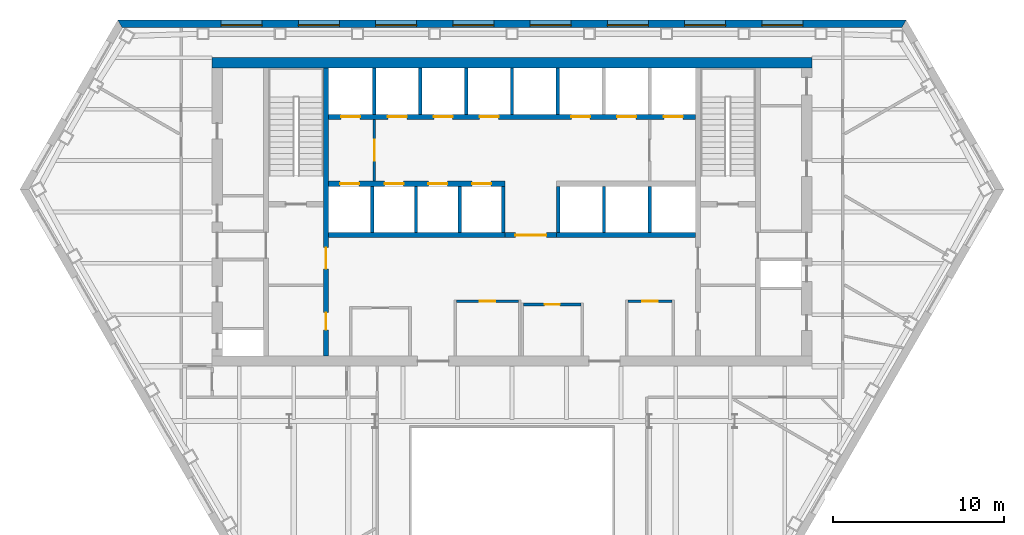
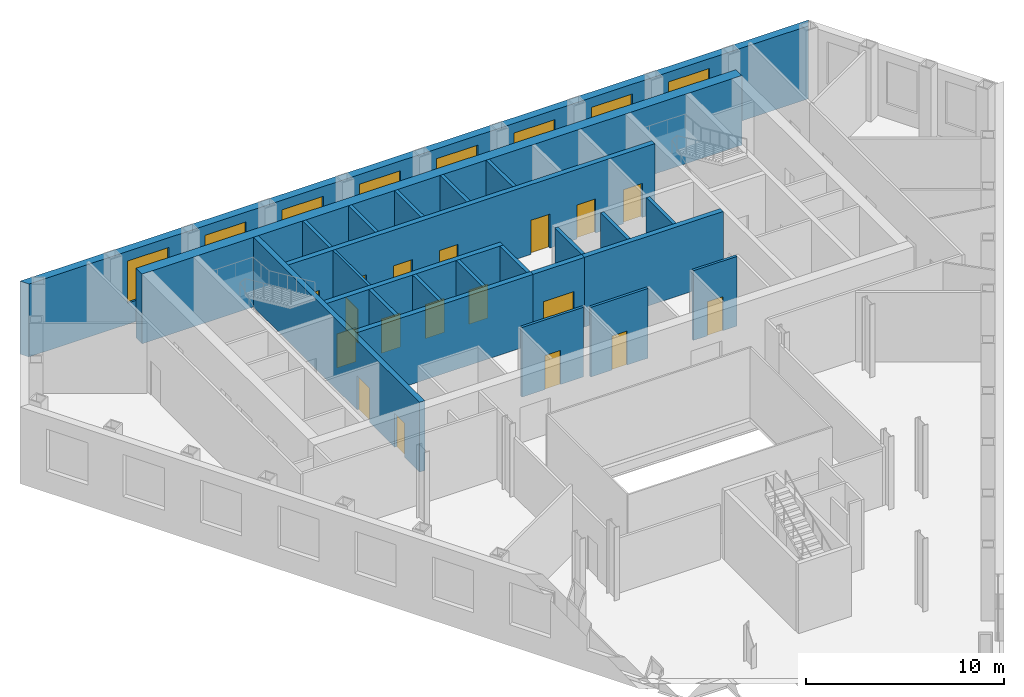
# One storey, part 6 of 10: 24 walls, 18 doors, 8 windows, 26 openings.
"""IFC4 building model written with IfcOpenShell, lengths in metres."""

from ifc_helpers import new_model, si_unit, direction, frame, frame_2d, origin, place, context, subcontext, project, spatial, polyline, rectangle, outline, extrude, material, layer, layer_set, type_object, element, fill, save


model = new_model("IFC4")

# Units and contexts
model_context = context("Model", 3, precision=1e-05, world=origin(), true_north=direction((0.0, 1.0)))
body_context = subcontext(model_context, "Body", "Model", "MODEL_VIEW")
ifc_project = project(units=[si_unit("LENGTHUNIT", "METRE"), si_unit("AREAUNIT", "SQUARE_METRE"), si_unit("VOLUMEUNIT", "CUBIC_METRE"), si_unit("PLANEANGLEUNIT", "RADIAN"), si_unit("MASSUNIT", "GRAM", prefix="KILO")], contexts=[model_context])

# Site, building, storey
site_placement = place(None, origin())
site = spatial("IfcSite", under=ifc_project, at=site_placement, CompositionType="ELEMENT")
building_placement = place(site_placement, origin())
building = spatial("IfcBuilding", under=site, at=building_placement, Name="Njiva Tower", CompositionType="ELEMENT")
storey_placement = place(building_placement, frame((0.0, 0.0, 55.8)))
storey = spatial("IfcBuildingStorey", under=building, at=storey_placement, Name="L11", CompositionType="ELEMENT", Elevation=55.8)

# Wall, opening, door
ifc_material_1 = material(Name="Blockwork", Category="masonry")
ifc_layer_1 = layer(ifc_material_1, 0.15)
ifc_layer_set_1 = layer_set([ifc_layer_1], Name="Blockwork")
wall_type_1 = type_object("IfcWallType", Name="WT1 Compartment partition 150", PredefinedType="PARTITIONING", material=ifc_layer_set_1)
wall_1_placement = place(storey_placement, frame((-3.225, 3.8, 0.0), z_axis=(0.0, 0.0, 1.0), x_axis=(1.0, 0.0, 0.0)))
wall_1 = element("IfcWall", 1, at=wall_1_placement, inside=storey, type_object=wall_type_1, Name="First aid room wall north", PredefinedType="PARTITIONING", context=body_context, shape_type="SweptSolid", body=[
    extrude(rectangle(XDim=3.6, YDim=0.15, at=frame_2d((1.8, 0.0))), origin(), (0.0, 0.0, 1.0), 4.3),
])
opening_1_placement = place(wall_1_placement, frame((1.35, 0.0, 0.0)))
opening_1 = element("IfcOpeningElement", 2, at=opening_1_placement, cuts=wall_1, Name="Opening S03-D933", PredefinedType="OPENING", context=body_context, shape_type="SweptSolid", body=[
    extrude(rectangle(XDim=0.9, YDim=2.1, at=frame_2d((0.45, 1.05))), frame((0.0, 0.085, 0.0), z_axis=(0.0, -1.0, 0.0), x_axis=(1.0, 0.0, 0.0)), (0.0, 0.0, 1.0), 0.17),
])
ifc_material_2 = material(Name="Steel fire door, painted", Category="steel")
door_type_1 = type_object("IfcDoorType", Name="D6 Fire-rated door 900x2100", OperationType="SINGLE_SWING_LEFT", PredefinedType="DOOR", material=ifc_material_2)
door_1_placement = place(opening_1_placement, origin())
door_1 = element("IfcDoor", 3, at=door_1_placement, inside=storey, type_object=door_type_1, Name="First aid room door", OperationType="SINGLE_SWING_LEFT", OverallHeight=2.1, OverallWidth=0.9, PredefinedType="DOOR", context=body_context, shape_type="SweptSolid", body=[
    extrude(rectangle(XDim=0.9, YDim=2.1, at=frame_2d((0.45, 1.05))), frame((0.0, 0.025, 0.0), z_axis=(0.0, -1.0, 0.0), x_axis=(1.0, 0.0, 0.0)), (0.0, 0.0, 1.0), 0.05),
])
fill(opening_1, door_1)

wall_2_placement = place(storey_placement, frame((0.675, 3.6, 0.0), z_axis=(0.0, 0.0, 1.0), x_axis=(1.0, 0.0, 0.0)))
wall_2 = element("IfcWall", 4, at=wall_2_placement, inside=storey, type_object=wall_type_1, Name="Parcel room wall north", PredefinedType="PARTITIONING", context=body_context, shape_type="SweptSolid", body=[
    extrude(rectangle(XDim=3.35, YDim=0.15, at=frame_2d((1.675, 0.0))), origin(), (0.0, 0.0, 1.0), 4.3),
])
opening_2_placement = place(wall_2_placement, frame((1.225, 0.0, 0.0)))
opening_2 = element("IfcOpeningElement", 5, at=opening_2_placement, cuts=wall_2, Name="Opening S03-D934", PredefinedType="OPENING", context=body_context, shape_type="SweptSolid", body=[
    extrude(rectangle(XDim=0.9, YDim=2.1, at=frame_2d((0.45, 1.05))), frame((0.0, 0.085, 0.0), z_axis=(0.0, -1.0, 0.0), x_axis=(1.0, 0.0, 0.0)), (0.0, 0.0, 1.0), 0.17),
])
door_2_placement = place(opening_2_placement, origin())
door_2 = element("IfcDoor", 6, at=door_2_placement, inside=storey, type_object=door_type_1, Name="Parcel room door", OperationType="SINGLE_SWING_LEFT", OverallHeight=2.1, OverallWidth=0.9, PredefinedType="DOOR", context=body_context, shape_type="SweptSolid", body=[
    extrude(rectangle(XDim=0.9, YDim=2.1, at=frame_2d((0.45, 1.05))), frame((0.0, 0.025, 0.0), z_axis=(0.0, -1.0, 0.0), x_axis=(1.0, 0.0, 0.0)), (0.0, 0.0, 1.0), 0.05),
])
fill(opening_2, door_2)

wall_3_placement = place(storey_placement, frame((6.775, 3.8, 0.0), z_axis=(0.0, 0.0, 1.0), x_axis=(1.0, 0.0, 0.0)))
wall_3 = element("IfcWall", 7, at=wall_3_placement, inside=storey, type_object=wall_type_1, Name="Security office wall north", PredefinedType="PARTITIONING", context=body_context, shape_type="SweptSolid", body=[
    extrude(rectangle(XDim=2.55, YDim=0.15, at=frame_2d((1.275, 0.0))), origin(), (0.0, 0.0, 1.0), 4.3),
])
opening_3_placement = place(wall_3_placement, frame((0.825, 0.0, 0.0)))
opening_3 = element("IfcOpeningElement", 8, at=opening_3_placement, cuts=wall_3, Name="Opening S03-D935", PredefinedType="OPENING", context=body_context, shape_type="SweptSolid", body=[
    extrude(rectangle(XDim=0.9, YDim=2.1, at=frame_2d((0.45, 1.05))), frame((0.0, 0.085, 0.0), z_axis=(0.0, -1.0, 0.0), x_axis=(1.0, 0.0, 0.0)), (0.0, 0.0, 1.0), 0.17),
])
door_3_placement = place(opening_3_placement, origin())
door_3 = element("IfcDoor", 9, at=door_3_placement, inside=storey, type_object=door_type_1, Name="Security office door", OperationType="SINGLE_SWING_RIGHT", OverallHeight=2.1, OverallWidth=0.9, PredefinedType="DOOR", context=body_context, shape_type="SweptSolid", body=[
    extrude(rectangle(XDim=0.9, YDim=2.1, at=frame_2d((0.45, 1.05))), frame((0.0, 0.025, 0.0), z_axis=(0.0, -1.0, 0.0), x_axis=(1.0, 0.0, 0.0)), (0.0, 0.0, 1.0), 0.05),
])
fill(opening_3, door_3)

# Wall, openings, doors
ifc_material_3 = material(Name="Concrete C40/50", Category="concrete")
ifc_layer_2 = layer(ifc_material_3, 0.3)
ifc_layer_set_2 = layer_set([ifc_layer_2], Name="Concrete C40/50")
wall_type_2 = type_object("IfcWallType", Name="WT10 Stair enclosure wall 300", PredefinedType="SHEAR", material=ifc_layer_set_2)
wall_4_placement = place(storey_placement, frame((-10.85, 0.6, 0.0), z_axis=(0.0, 0.0, 1.0), x_axis=(0.0, 1.0, 0.0)))
wall_4 = element("IfcWall", 10, at=wall_4_placement, inside=storey, type_object=wall_type_2, Name="Stair wall west inner", PredefinedType="SHEAR", context=body_context, shape_type="SweptSolid", body=[
    extrude(rectangle(XDim=16.8, YDim=0.3, at=frame_2d((8.4, 0.0))), origin(), (0.0, 0.0, 1.0), 4.3),
])
opening_4_placement = place(wall_4_placement, frame((5.075, 0.0, 0.0)))
opening_4 = element("IfcOpeningElement", 11, at=opening_4_placement, cuts=wall_4, Name="Opening S03-D914", PredefinedType="OPENING", context=body_context, shape_type="SweptSolid", body=[
    extrude(rectangle(XDim=1.25, YDim=2.1, at=frame_2d((0.625, 1.05))), frame((0.0, 0.16, 0.0), z_axis=(0.0, -1.0, 0.0), x_axis=(1.0, 0.0, 0.0)), (0.0, 0.0, 1.0), 0.32),
])
opening_5_placement = place(wall_4_placement, frame((1.525, 0.0, 0.0)))
opening_5 = element("IfcOpeningElement", 12, at=opening_5_placement, cuts=wall_4, Name="Opening S03-D915", PredefinedType="OPENING", context=body_context, shape_type="SweptSolid", body=[
    extrude(rectangle(XDim=1.0, YDim=2.1, at=frame_2d((0.5, 1.05))), frame((0.0, 0.16, 0.0), z_axis=(0.0, -1.0, 0.0), x_axis=(1.0, 0.0, 0.0)), (0.0, 0.0, 1.0), 0.32),
])
ifc_material_4 = material(Name="Steel door, painted", Category="steel")
door_type_2 = type_object("IfcDoorType", Name="D5 Steel door 1000x2100", OperationType="SINGLE_SWING_LEFT", PredefinedType="DOOR", material=ifc_material_4)
door_4_placement = place(opening_5_placement, origin())
door_4 = element("IfcDoor", 13, at=door_4_placement, inside=storey, type_object=door_type_2, Name="First aid room door", OperationType="SINGLE_SWING_RIGHT", OverallHeight=2.1, OverallWidth=1.0, PredefinedType="DOOR", context=body_context, shape_type="SweptSolid", body=[
    extrude(rectangle(XDim=1.0, YDim=2.1, at=frame_2d((0.5, 1.05))), frame((0.0, 0.025, 0.0), z_axis=(0.0, -1.0, 0.0), x_axis=(1.0, 0.0, 0.0)), (0.0, 0.0, 1.0), 0.05),
])
fill(opening_5, door_4)
ifc_material_5 = material(Name="Glazed steel fire door", Category="steel")
door_type_3 = type_object("IfcDoorType", Name="D8 Vestibule corridor door 1250x2100 glazed", OperationType="SINGLE_SWING_LEFT", PredefinedType="DOOR", material=ifc_material_5)
door_5_placement = place(opening_4_placement, origin())
door_5 = element("IfcDoor", 14, at=door_5_placement, inside=storey, type_object=door_type_3, Name="Stair vestibule corridor door", OperationType="SINGLE_SWING_LEFT", OverallHeight=2.1, OverallWidth=1.25, PredefinedType="DOOR", context=body_context, shape_type="SweptSolid", body=[
    extrude(rectangle(XDim=1.25, YDim=2.1, at=frame_2d((0.625, 1.05))), frame((0.0, 0.025, 0.0), z_axis=(0.0, -1.0, 0.0), x_axis=(1.0, 0.0, 0.0)), (0.0, 0.0, 1.0), 0.05),
])
fill(opening_4, door_5)

# Wall
ifc_material_6 = material(Name="Concrete C60/75", Category="concrete")
ifc_layer_3 = layer(ifc_material_6, 0.6)
ifc_layer_set_3 = layer_set([ifc_layer_3], Name="Concrete C60/75")
wall_type_3 = type_object("IfcWallType", Name="WT15 Core wall 600", PredefinedType="SHEAR", material=ifc_layer_set_3)
wall_5_placement = place(storey_placement, frame((-17.5, 17.7, 0.0), z_axis=(0.0, 0.0, 1.0), x_axis=(1.0, 0.0, 0.0)))
element("IfcWall", 15, at=wall_5_placement, inside=storey, type_object=wall_type_3, Name="Core wall north", PredefinedType="SHEAR", context=body_context, shape_type="SweptSolid", body=[
    extrude(rectangle(XDim=35.0, YDim=0.6, at=frame_2d((17.5, 0.0))), origin(), (0.0, 0.0, 1.0), 4.3),
])

# Wall, opening, door
ifc_layer_4 = layer(ifc_material_1, 0.15)
ifc_layer_set_4 = layer_set([ifc_layer_4], Name="Blockwork")
wall_type_4 = type_object("IfcWallType", Name="WT2 Lobby partition 150", PredefinedType="PARTITIONING", material=ifc_layer_set_4)
wall_6_placement = place(storey_placement, frame((-8.025, 10.8, 0.0), z_axis=(0.0, 0.0, 1.0), x_axis=(0.0, 1.0, 0.0)))
wall_6 = element("IfcWall", 16, at=wall_6_placement, inside=storey, type_object=wall_type_4, Name="Firefighting lobby wall A", PredefinedType="PARTITIONING", context=body_context, shape_type="SweptSolid", body=[
    extrude(rectangle(XDim=3.6, YDim=0.15, at=frame_2d((1.8, 0.0))), origin(), (0.0, 0.0, 1.0), 4.3),
])
opening_6_placement = place(wall_6_placement, frame((1.175, 0.0, 0.0)))
opening_6 = element("IfcOpeningElement", 17, at=opening_6_placement, cuts=wall_6, Name="Opening S03-D912", PredefinedType="OPENING", context=body_context, shape_type="SweptSolid", body=[
    extrude(rectangle(XDim=1.25, YDim=2.1, at=frame_2d((0.625, 1.05))), frame((0.0, 0.085, 0.0), z_axis=(0.0, -1.0, 0.0), x_axis=(1.0, 0.0, 0.0)), (0.0, 0.0, 1.0), 0.17),
])
door_6_placement = place(opening_6_placement, origin())
door_6 = element("IfcDoor", 18, at=door_6_placement, inside=storey, type_object=door_type_3, Name="Stair vestibule corridor door", OperationType="SINGLE_SWING_RIGHT", OverallHeight=2.1, OverallWidth=1.25, PredefinedType="DOOR", context=body_context, shape_type="SweptSolid", body=[
    extrude(rectangle(XDim=1.25, YDim=2.1, at=frame_2d((0.625, 1.05))), frame((0.0, 0.025, 0.0), z_axis=(0.0, -1.0, 0.0), x_axis=(1.0, 0.0, 0.0)), (0.0, 0.0, 1.0), 0.05),
])
fill(opening_6, door_6)

ifc_layer_5 = layer(ifc_material_1, 0.3)
ifc_layer_set_5 = layer_set([ifc_layer_5], Name="Blockwork")
wall_type_5 = type_object("IfcWallType", Name="WT5 Lobby partition 300", PredefinedType="PARTITIONING", material=ifc_layer_set_5)
wall_7_placement = place(storey_placement, frame((-0.4, 7.65, 0.0), z_axis=(0.0, 0.0, 1.0), x_axis=(1.0, 0.0, 0.0)))
wall_7 = element("IfcWall", 19, at=wall_7_placement, inside=storey, type_object=wall_type_5, Name="Lift lobby screen wall", PredefinedType="PARTITIONING", context=body_context, shape_type="SweptSolid", body=[
    extrude(rectangle(XDim=3.0, YDim=0.3, at=frame_2d((1.5, 0.0))), origin(), (0.0, 0.0, 1.0), 4.3),
])
opening_7_placement = place(wall_7_placement, frame((0.6, 0.0, 0.0)))
opening_7 = element("IfcOpeningElement", 20, at=opening_7_placement, cuts=wall_7, Name="Opening S03-D936", PredefinedType="OPENING", context=body_context, shape_type="SweptSolid", body=[
    extrude(rectangle(XDim=1.8, YDim=2.4, at=frame_2d((0.9, 1.2))), frame((0.0, 0.16, 0.0), z_axis=(0.0, -1.0, 0.0), x_axis=(1.0, 0.0, 0.0)), (0.0, 0.0, 1.0), 0.32),
])
ifc_material_7 = material(Name="Steel and glass door", Category="steel")
door_type_4 = type_object("IfcDoorType", Name="D3 Core entrance door 1800x2400", OperationType="DOUBLE_DOOR_SINGLE_SWING", PredefinedType="DOOR", material=ifc_material_7)
door_7_placement = place(opening_7_placement, origin())
door_7 = element("IfcDoor", 21, at=door_7_placement, inside=storey, type_object=door_type_4, Name="Core entrance door", OperationType="DOUBLE_DOOR_SINGLE_SWING", OverallHeight=2.4, OverallWidth=1.8, PredefinedType="DOOR", context=body_context, shape_type="SweptSolid", body=[
    extrude(rectangle(XDim=1.8, YDim=2.4, at=frame_2d((0.9, 1.2))), frame((0.0, 0.025, 0.0), z_axis=(0.0, -1.0, 0.0), x_axis=(1.0, 0.0, 0.0)), (0.0, 0.0, 1.0), 0.05),
])
fill(opening_7, door_7)

# Walls
ifc_layer_6 = layer(ifc_material_3, 0.2)
ifc_layer_set_6 = layer_set([ifc_layer_6], Name="Concrete C40/50")
wall_type_6 = type_object("IfcWallType", Name="WT6 Lift shaft wall 200", PredefinedType="SHEAR", material=ifc_layer_set_6)
for number, where, z_axis, x_axis, name in (
    (22, (-8.025, 14.7, 0.0), (0.0, 0.0, 1.0), (0.0, 1.0, 0.0), "Shaft wall CN1"),
    (23, (-5.35, 14.7, 0.0), (0.0, 0.0, 1.0), (0.0, 1.0, 0.0), "Shaft wall CN2"),
    (24, (-2.675, 14.7, 0.0), (0.0, 0.0, 1.0), (0.0, 1.0, 0.0), "Shaft wall CN3"),
    (25, (0.0, 14.7, 0.0), (0.0, 0.0, 1.0), (0.0, 1.0, 0.0), "Shaft wall CN4"),
    (26, (2.675, 14.7, 0.0), (0.0, 0.0, 1.0), (0.0, 1.0, 0.0), "Shaft wall CN5"),
    (27, (-8.15, 7.8, 0.0), (0.0, 0.0, 1.0), (0.0, 1.0, 0.0), "Shaft wall CS1"),
    (28, (-5.6, 7.8, 0.0), (0.0, 0.0, 1.0), (0.0, 1.0, 0.0), "Shaft wall CS2"),
    (29, (-3.05, 7.8, 0.0), (0.0, 0.0, 1.0), (0.0, 1.0, 0.0), "Shaft wall CS3"),
    (30, (-0.5, 7.8, 0.0), (0.0, 0.0, 1.0), (0.0, 1.0, 0.0), "Shaft wall CS4"),
    (31, (2.7, 7.8, 0.0), (0.0, 0.0, 1.0), (0.0, 1.0, 0.0), "Shaft wall CS5"),
    (32, (5.3667, 7.8, 0.0), (0.0, 0.0, 1.0), (0.0, 1.0, 0.0), "Shaft wall CS6"),
    (33, (8.0333, 7.8, 0.0), (0.0, 0.0, 1.0), (0.0, 1.0, 0.0), "Shaft wall CS7"),
):
    element("IfcWall", number, at=place(storey_placement, frame(where, z_axis=z_axis, x_axis=x_axis)), inside=storey, type_object=wall_type_6, Name=name, PredefinedType="SHEAR", context=body_context, shape_type="SweptSolid", body=[
        extrude(rectangle(XDim=2.7, YDim=0.2, at=frame_2d((1.35, 0.0))), origin(), (0.0, 0.0, 1.0), 4.3),
    ])

# Wall, openings, doors
ifc_layer_7 = layer(ifc_material_3, 0.3)
ifc_layer_set_7 = layer_set([ifc_layer_7], Name="Concrete C40/50")
wall_type_7 = type_object("IfcWallType", Name="WT7 Lift shaft wall 300", PredefinedType="SHEAR", material=ifc_layer_set_7)
wall_8_placement = place(storey_placement, frame((-10.7, 14.55, 0.0), z_axis=(0.0, 0.0, 1.0), x_axis=(1.0, 0.0, 0.0)))
wall_8 = element("IfcWall", 34, at=wall_8_placement, inside=storey, type_object=wall_type_7, Name="Shaft wall north row lobby side", PredefinedType="SHEAR", context=body_context, shape_type="SweptSolid", body=[
    extrude(rectangle(XDim=21.4, YDim=0.3, at=frame_2d((10.7, 0.0))), origin(), (0.0, 0.0, 1.0), 4.3),
])
opening_8_placement = place(wall_8_placement, frame((0.7375, 0.0, 0.0)))
opening_8 = element("IfcOpeningElement", 35, at=opening_8_placement, cuts=wall_8, Name="Opening S03-D901", PredefinedType="OPENING", context=body_context, shape_type="SweptSolid", body=[
    extrude(rectangle(XDim=1.1, YDim=2.1, at=frame_2d((0.55, 1.05))), frame((0.0, 0.16, 0.0), z_axis=(0.0, -1.0, 0.0), x_axis=(1.0, 0.0, 0.0)), (0.0, 0.0, 1.0), 0.32),
])
opening_9_placement = place(wall_8_placement, frame((3.4625, 0.0, 0.0)))
opening_9 = element("IfcOpeningElement", 36, at=opening_9_placement, cuts=wall_8, Name="Opening S03-D902", PredefinedType="OPENING", context=body_context, shape_type="SweptSolid", body=[
    extrude(rectangle(XDim=1.1, YDim=2.1, at=frame_2d((0.55, 1.05))), frame((0.0, 0.16, 0.0), z_axis=(0.0, -1.0, 0.0), x_axis=(1.0, 0.0, 0.0)), (0.0, 0.0, 1.0), 0.32),
])
opening_10_placement = place(wall_8_placement, frame((6.1375, 0.0, 0.0)))
opening_10 = element("IfcOpeningElement", 37, at=opening_10_placement, cuts=wall_8, Name="Opening S03-D903", PredefinedType="OPENING", context=body_context, shape_type="SweptSolid", body=[
    extrude(rectangle(XDim=1.1, YDim=2.1, at=frame_2d((0.55, 1.05))), frame((0.0, 0.16, 0.0), z_axis=(0.0, -1.0, 0.0), x_axis=(1.0, 0.0, 0.0)), (0.0, 0.0, 1.0), 0.32),
])
opening_11_placement = place(wall_8_placement, frame((8.8125, 0.0, 0.0)))
opening_11 = element("IfcOpeningElement", 38, at=opening_11_placement, cuts=wall_8, Name="Opening S03-D904", PredefinedType="OPENING", context=body_context, shape_type="SweptSolid", body=[
    extrude(rectangle(XDim=1.1, YDim=2.1, at=frame_2d((0.55, 1.05))), frame((0.0, 0.16, 0.0), z_axis=(0.0, -1.0, 0.0), x_axis=(1.0, 0.0, 0.0)), (0.0, 0.0, 1.0), 0.32),
])
opening_12_placement = place(wall_8_placement, frame((14.1625, 0.0, 0.0)))
opening_12 = element("IfcOpeningElement", 39, at=opening_12_placement, cuts=wall_8, Name="Opening S03-D905", PredefinedType="OPENING", context=body_context, shape_type="SweptSolid", body=[
    extrude(rectangle(XDim=1.1, YDim=2.1, at=frame_2d((0.55, 1.05))), frame((0.0, 0.16, 0.0), z_axis=(0.0, -1.0, 0.0), x_axis=(1.0, 0.0, 0.0)), (0.0, 0.0, 1.0), 0.32),
])
opening_13_placement = place(wall_8_placement, frame((16.8375, 0.0, 0.0)))
opening_13 = element("IfcOpeningElement", 40, at=opening_13_placement, cuts=wall_8, Name="Opening S03-D906", PredefinedType="OPENING", context=body_context, shape_type="SweptSolid", body=[
    extrude(rectangle(XDim=1.1, YDim=2.1, at=frame_2d((0.55, 1.05))), frame((0.0, 0.16, 0.0), z_axis=(0.0, -1.0, 0.0), x_axis=(1.0, 0.0, 0.0)), (0.0, 0.0, 1.0), 0.32),
])
opening_14_placement = place(wall_8_placement, frame((19.5625, 0.0, 0.0)))
opening_14 = element("IfcOpeningElement", 41, at=opening_14_placement, cuts=wall_8, Name="Opening S03-D907", PredefinedType="OPENING", context=body_context, shape_type="SweptSolid", body=[
    extrude(rectangle(XDim=1.1, YDim=2.1, at=frame_2d((0.55, 1.05))), frame((0.0, 0.16, 0.0), z_axis=(0.0, -1.0, 0.0), x_axis=(1.0, 0.0, 0.0)), (0.0, 0.0, 1.0), 0.32),
])
ifc_material_8 = material(Name="Stainless steel sliding door", Category="steel")
door_type_5 = type_object("IfcDoorType", Name="LD Lift landing door 1100x2100", OperationType="SLIDING_TO_LEFT", PredefinedType="DOOR", material=ifc_material_8)
door_8_placement = place(opening_8_placement, origin())
door_8 = element("IfcDoor", 42, at=door_8_placement, inside=storey, type_object=door_type_5, Name="Lift landing door FF1", OperationType="SLIDING_TO_LEFT", OverallHeight=2.1, OverallWidth=1.1, PredefinedType="DOOR", context=body_context, shape_type="SweptSolid", body=[
    extrude(rectangle(XDim=1.1, YDim=2.1, at=frame_2d((0.55, 1.05))), frame((0.0, 0.025, 0.0), z_axis=(0.0, -1.0, 0.0), x_axis=(1.0, 0.0, 0.0)), (0.0, 0.0, 1.0), 0.05),
])
fill(opening_8, door_8)
door_9_placement = place(opening_9_placement, origin())
door_9 = element("IfcDoor", 43, at=door_9_placement, inside=storey, type_object=door_type_5, Name="Lift landing door LB1", OperationType="SLIDING_TO_LEFT", OverallHeight=2.1, OverallWidth=1.1, PredefinedType="DOOR", context=body_context, shape_type="SweptSolid", body=[
    extrude(rectangle(XDim=1.1, YDim=2.1, at=frame_2d((0.55, 1.05))), frame((0.0, 0.025, 0.0), z_axis=(0.0, -1.0, 0.0), x_axis=(1.0, 0.0, 0.0)), (0.0, 0.0, 1.0), 0.05),
])
fill(opening_9, door_9)
door_10_placement = place(opening_10_placement, origin())
door_10 = element("IfcDoor", 44, at=door_10_placement, inside=storey, type_object=door_type_5, Name="Lift landing door LB2", OperationType="SLIDING_TO_LEFT", OverallHeight=2.1, OverallWidth=1.1, PredefinedType="DOOR", context=body_context, shape_type="SweptSolid", body=[
    extrude(rectangle(XDim=1.1, YDim=2.1, at=frame_2d((0.55, 1.05))), frame((0.0, 0.025, 0.0), z_axis=(0.0, -1.0, 0.0), x_axis=(1.0, 0.0, 0.0)), (0.0, 0.0, 1.0), 0.05),
])
fill(opening_10, door_10)
door_11_placement = place(opening_11_placement, origin())
door_11 = element("IfcDoor", 45, at=door_11_placement, inside=storey, type_object=door_type_5, Name="Lift landing door LB3", OperationType="SLIDING_TO_LEFT", OverallHeight=2.1, OverallWidth=1.1, PredefinedType="DOOR", context=body_context, shape_type="SweptSolid", body=[
    extrude(rectangle(XDim=1.1, YDim=2.1, at=frame_2d((0.55, 1.05))), frame((0.0, 0.025, 0.0), z_axis=(0.0, -1.0, 0.0), x_axis=(1.0, 0.0, 0.0)), (0.0, 0.0, 1.0), 0.05),
])
fill(opening_11, door_11)
door_12_placement = place(opening_12_placement, origin())
door_12 = element("IfcDoor", 46, at=door_12_placement, inside=storey, type_object=door_type_5, Name="Lift landing door FR1", OperationType="SLIDING_TO_LEFT", OverallHeight=2.1, OverallWidth=1.1, PredefinedType="DOOR", context=body_context, shape_type="SweptSolid", body=[
    extrude(rectangle(XDim=1.1, YDim=2.1, at=frame_2d((0.55, 1.05))), frame((0.0, 0.025, 0.0), z_axis=(0.0, -1.0, 0.0), x_axis=(1.0, 0.0, 0.0)), (0.0, 0.0, 1.0), 0.05),
])
fill(opening_12, door_12)
door_13_placement = place(opening_13_placement, origin())
door_13 = element("IfcDoor", 47, at=door_13_placement, inside=storey, type_object=door_type_5, Name="Lift landing door FR2", OperationType="SLIDING_TO_LEFT", OverallHeight=2.1, OverallWidth=1.1, PredefinedType="DOOR", context=body_context, shape_type="SweptSolid", body=[
    extrude(rectangle(XDim=1.1, YDim=2.1, at=frame_2d((0.55, 1.05))), frame((0.0, 0.025, 0.0), z_axis=(0.0, -1.0, 0.0), x_axis=(1.0, 0.0, 0.0)), (0.0, 0.0, 1.0), 0.05),
])
fill(opening_13, door_13)
door_14_placement = place(opening_14_placement, origin())
door_14 = element("IfcDoor", 48, at=door_14_placement, inside=storey, type_object=door_type_5, Name="Lift landing door FF2", OperationType="SLIDING_TO_LEFT", OverallHeight=2.1, OverallWidth=1.1, PredefinedType="DOOR", context=body_context, shape_type="SweptSolid", body=[
    extrude(rectangle(XDim=1.1, YDim=2.1, at=frame_2d((0.55, 1.05))), frame((0.0, 0.025, 0.0), z_axis=(0.0, -1.0, 0.0), x_axis=(1.0, 0.0, 0.0)), (0.0, 0.0, 1.0), 0.05),
])
fill(opening_14, door_14)

wall_9_placement = place(storey_placement, frame((-10.7, 10.65, 0.0), z_axis=(0.0, 0.0, 1.0), x_axis=(1.0, 0.0, 0.0)))
wall_9 = element("IfcWall", 49, at=wall_9_placement, inside=storey, type_object=wall_type_7, Name="Shaft wall south row lobby side W", PredefinedType="SHEAR", context=body_context, shape_type="SweptSolid", body=[
    extrude(rectangle(XDim=10.3, YDim=0.3, at=frame_2d((5.15, 0.0))), origin(), (0.0, 0.0, 1.0), 4.3),
])
opening_15_placement = place(wall_9_placement, frame((0.675, 0.0, 0.0)))
opening_15 = element("IfcOpeningElement", 50, at=opening_15_placement, cuts=wall_9, Name="Opening S03-D908", PredefinedType="OPENING", context=body_context, shape_type="SweptSolid", body=[
    extrude(rectangle(XDim=1.1, YDim=2.1, at=frame_2d((0.55, 1.05))), frame((0.0, 0.16, 0.0), z_axis=(0.0, -1.0, 0.0), x_axis=(1.0, 0.0, 0.0)), (0.0, 0.0, 1.0), 0.32),
])
opening_16_placement = place(wall_9_placement, frame((3.275, 0.0, 0.0)))
opening_16 = element("IfcOpeningElement", 51, at=opening_16_placement, cuts=wall_9, Name="Opening S03-D909", PredefinedType="OPENING", context=body_context, shape_type="SweptSolid", body=[
    extrude(rectangle(XDim=1.1, YDim=2.1, at=frame_2d((0.55, 1.05))), frame((0.0, 0.16, 0.0), z_axis=(0.0, -1.0, 0.0), x_axis=(1.0, 0.0, 0.0)), (0.0, 0.0, 1.0), 0.32),
])
opening_17_placement = place(wall_9_placement, frame((5.825, 0.0, 0.0)))
opening_17 = element("IfcOpeningElement", 52, at=opening_17_placement, cuts=wall_9, Name="Opening S03-D910", PredefinedType="OPENING", context=body_context, shape_type="SweptSolid", body=[
    extrude(rectangle(XDim=1.1, YDim=2.1, at=frame_2d((0.55, 1.05))), frame((0.0, 0.16, 0.0), z_axis=(0.0, -1.0, 0.0), x_axis=(1.0, 0.0, 0.0)), (0.0, 0.0, 1.0), 0.32),
])
opening_18_placement = place(wall_9_placement, frame((8.375, 0.0, 0.0)))
opening_18 = element("IfcOpeningElement", 53, at=opening_18_placement, cuts=wall_9, Name="Opening S03-D911", PredefinedType="OPENING", context=body_context, shape_type="SweptSolid", body=[
    extrude(rectangle(XDim=1.1, YDim=2.1, at=frame_2d((0.55, 1.05))), frame((0.0, 0.16, 0.0), z_axis=(0.0, -1.0, 0.0), x_axis=(1.0, 0.0, 0.0)), (0.0, 0.0, 1.0), 0.32),
])
door_15_placement = place(opening_15_placement, origin())
door_15 = element("IfcDoor", 54, at=door_15_placement, inside=storey, type_object=door_type_5, Name="Lift landing door LB4", OperationType="SLIDING_TO_LEFT", OverallHeight=2.1, OverallWidth=1.1, PredefinedType="DOOR", context=body_context, shape_type="SweptSolid", body=[
    extrude(rectangle(XDim=1.1, YDim=2.1, at=frame_2d((0.55, 1.05))), frame((0.0, 0.025, 0.0), z_axis=(0.0, -1.0, 0.0), x_axis=(1.0, 0.0, 0.0)), (0.0, 0.0, 1.0), 0.05),
])
fill(opening_15, door_15)
door_16_placement = place(opening_16_placement, origin())
door_16 = element("IfcDoor", 55, at=door_16_placement, inside=storey, type_object=door_type_5, Name="Lift landing door LB5", OperationType="SLIDING_TO_LEFT", OverallHeight=2.1, OverallWidth=1.1, PredefinedType="DOOR", context=body_context, shape_type="SweptSolid", body=[
    extrude(rectangle(XDim=1.1, YDim=2.1, at=frame_2d((0.55, 1.05))), frame((0.0, 0.025, 0.0), z_axis=(0.0, -1.0, 0.0), x_axis=(1.0, 0.0, 0.0)), (0.0, 0.0, 1.0), 0.05),
])
fill(opening_16, door_16)
door_17_placement = place(opening_17_placement, origin())
door_17 = element("IfcDoor", 56, at=door_17_placement, inside=storey, type_object=door_type_5, Name="Lift landing door LB6", OperationType="SLIDING_TO_LEFT", OverallHeight=2.1, OverallWidth=1.1, PredefinedType="DOOR", context=body_context, shape_type="SweptSolid", body=[
    extrude(rectangle(XDim=1.1, YDim=2.1, at=frame_2d((0.55, 1.05))), frame((0.0, 0.025, 0.0), z_axis=(0.0, -1.0, 0.0), x_axis=(1.0, 0.0, 0.0)), (0.0, 0.0, 1.0), 0.05),
])
fill(opening_17, door_17)
door_18_placement = place(opening_18_placement, origin())
door_18 = element("IfcDoor", 57, at=door_18_placement, inside=storey, type_object=door_type_5, Name="Lift landing door LB7", OperationType="SLIDING_TO_LEFT", OverallHeight=2.1, OverallWidth=1.1, PredefinedType="DOOR", context=body_context, shape_type="SweptSolid", body=[
    extrude(rectangle(XDim=1.1, YDim=2.1, at=frame_2d((0.55, 1.05))), frame((0.0, 0.025, 0.0), z_axis=(0.0, -1.0, 0.0), x_axis=(1.0, 0.0, 0.0)), (0.0, 0.0, 1.0), 0.05),
])
fill(opening_18, door_18)

# Walls
wall_10_placement = place(storey_placement, frame((-10.7, 7.65, 0.0), z_axis=(0.0, 0.0, 1.0), x_axis=(1.0, 0.0, 0.0)))
element("IfcWall", 58, at=wall_10_placement, inside=storey, type_object=wall_type_7, Name="Shaft wall south row back W", PredefinedType="SHEAR", context=body_context, shape_type="SweptSolid", body=[
    extrude(rectangle(XDim=10.3, YDim=0.3, at=frame_2d((5.15, 0.0))), origin(), (0.0, 0.0, 1.0), 4.3),
])
wall_11_placement = place(storey_placement, frame((2.6, 7.65, 0.0), z_axis=(0.0, 0.0, 1.0), x_axis=(1.0, 0.0, 0.0)))
element("IfcWall", 59, at=wall_11_placement, inside=storey, type_object=wall_type_7, Name="Shaft wall south row back E", PredefinedType="SHEAR", context=body_context, shape_type="SweptSolid", body=[
    extrude(rectangle(XDim=8.1, YDim=0.3, at=frame_2d((4.05, 0.0))), origin(), (0.0, 0.0, 1.0), 4.3),
])

# Wall, openings, windows
ifc_material_9 = material(Name="Brick masonry", Category="masonry")
ifc_layer_8 = layer(ifc_material_9, 0.45)
ifc_layer_set_8 = layer_set([ifc_layer_8], Name="Brick masonry")
wall_type_8 = type_object("IfcWallType", Name="WT90 Brick pier and spandrel wall 450", PredefinedType="SOLIDWALL", material=ifc_layer_set_8)
wall_12_placement = place(storey_placement, frame((22.8701, 19.975, -0.4), z_axis=(0.0, 0.0, 1.0), x_axis=(-1.0, 0.0, 0.0)))
wall_12 = element("IfcWall", 60, at=wall_12_placement, inside=storey, type_object=wall_type_8, Name="Facade wall N", PredefinedType="SOLIDWALL", context=body_context, shape_type="SweptSolid", body=[
    extrude(outline(polyline([(-0.1299, -0.225), (45.8701, -0.225), (45.6103, 0.225), (0.1299, 0.225), (-0.1299, -0.225)])), origin(), (0.0, 0.0, 1.0), 4.5),
])
opening_19_placement = place(wall_12_placement, frame((5.8934, 0.0, 1.3)))
opening_19 = element("IfcOpeningElement", 61, at=opening_19_placement, cuts=wall_12, Name="Opening S03-W01", PredefinedType="OPENING", context=body_context, shape_type="SweptSolid", body=[
    extrude(rectangle(XDim=2.4, YDim=2.6, at=frame_2d((1.2, 1.3))), frame((0.0, 0.235, 0.0), z_axis=(0.0, -1.0, 0.0), x_axis=(1.0, 0.0, 0.0)), (0.0, 0.0, 1.0), 0.47),
])
opening_20_placement = place(wall_12_placement, frame((10.401, 0.0, 1.3)))
opening_20 = element("IfcOpeningElement", 62, at=opening_20_placement, cuts=wall_12, Name="Opening S03-W02", PredefinedType="OPENING", context=body_context, shape_type="SweptSolid", body=[
    extrude(rectangle(XDim=2.4, YDim=2.6, at=frame_2d((1.2, 1.3))), frame((0.0, 0.235, 0.0), z_axis=(0.0, -1.0, 0.0), x_axis=(1.0, 0.0, 0.0)), (0.0, 0.0, 1.0), 0.47),
])
opening_21_placement = place(wall_12_placement, frame((14.9087, 0.0, 1.3)))
opening_21 = element("IfcOpeningElement", 63, at=opening_21_placement, cuts=wall_12, Name="Opening S03-W03", PredefinedType="OPENING", context=body_context, shape_type="SweptSolid", body=[
    extrude(rectangle(XDim=2.4, YDim=2.6, at=frame_2d((1.2, 1.3))), frame((0.0, 0.235, 0.0), z_axis=(0.0, -1.0, 0.0), x_axis=(1.0, 0.0, 0.0)), (0.0, 0.0, 1.0), 0.47),
])
opening_22_placement = place(wall_12_placement, frame((19.4163, 0.0, 1.3)))
opening_22 = element("IfcOpeningElement", 64, at=opening_22_placement, cuts=wall_12, Name="Opening S03-W04", PredefinedType="OPENING", context=body_context, shape_type="SweptSolid", body=[
    extrude(rectangle(XDim=2.4, YDim=2.6, at=frame_2d((1.2, 1.3))), frame((0.0, 0.235, 0.0), z_axis=(0.0, -1.0, 0.0), x_axis=(1.0, 0.0, 0.0)), (0.0, 0.0, 1.0), 0.47),
])
opening_23_placement = place(wall_12_placement, frame((23.9239, 0.0, 1.3)))
opening_23 = element("IfcOpeningElement", 65, at=opening_23_placement, cuts=wall_12, Name="Opening S03-W05", PredefinedType="OPENING", context=body_context, shape_type="SweptSolid", body=[
    extrude(rectangle(XDim=2.4, YDim=2.6, at=frame_2d((1.2, 1.3))), frame((0.0, 0.235, 0.0), z_axis=(0.0, -1.0, 0.0), x_axis=(1.0, 0.0, 0.0)), (0.0, 0.0, 1.0), 0.47),
])
opening_24_placement = place(wall_12_placement, frame((28.4315, 0.0, 1.3)))
opening_24 = element("IfcOpeningElement", 66, at=opening_24_placement, cuts=wall_12, Name="Opening S03-W06", PredefinedType="OPENING", context=body_context, shape_type="SweptSolid", body=[
    extrude(rectangle(XDim=2.4, YDim=2.6, at=frame_2d((1.2, 1.3))), frame((0.0, 0.235, 0.0), z_axis=(0.0, -1.0, 0.0), x_axis=(1.0, 0.0, 0.0)), (0.0, 0.0, 1.0), 0.47),
])
opening_25_placement = place(wall_12_placement, frame((32.9391, 0.0, 1.3)))
opening_25 = element("IfcOpeningElement", 67, at=opening_25_placement, cuts=wall_12, Name="Opening S03-W07", PredefinedType="OPENING", context=body_context, shape_type="SweptSolid", body=[
    extrude(rectangle(XDim=2.4, YDim=2.6, at=frame_2d((1.2, 1.3))), frame((0.0, 0.235, 0.0), z_axis=(0.0, -1.0, 0.0), x_axis=(1.0, 0.0, 0.0)), (0.0, 0.0, 1.0), 0.47),
])
opening_26_placement = place(wall_12_placement, frame((37.4468, 0.0, 1.3)))
opening_26 = element("IfcOpeningElement", 68, at=opening_26_placement, cuts=wall_12, Name="Opening S03-W08", PredefinedType="OPENING", context=body_context, shape_type="SweptSolid", body=[
    extrude(rectangle(XDim=2.4, YDim=2.6, at=frame_2d((1.2, 1.3))), frame((0.0, 0.235, 0.0), z_axis=(0.0, -1.0, 0.0), x_axis=(1.0, 0.0, 0.0)), (0.0, 0.0, 1.0), 0.47),
])
ifc_material_10 = material(Name="Clear glazing in aluminium frame", Category="aluminium")
window_type = type_object("IfcWindowType", Name="W92 Deep-set window 2400x2600", PartitioningType="SINGLE_PANEL", PredefinedType="WINDOW", material=ifc_material_10)
window_1_placement = place(opening_19_placement, origin())
window_1 = element("IfcWindow", 69, at=window_1_placement, inside=storey, type_object=window_type, Name="Window", OverallHeight=2.6, OverallWidth=2.4, PartitioningType="SINGLE_PANEL", PredefinedType="WINDOW", context=body_context, shape_type="SweptSolid", body=[
    extrude(rectangle(XDim=2.4, YDim=2.6, at=frame_2d((1.2, 1.3))), frame((0.0, 0.105, 0.0), z_axis=(0.0, -1.0, 0.0), x_axis=(1.0, 0.0, 0.0)), (0.0, 0.0, 1.0), 0.06),
])
fill(opening_19, window_1)
window_2_placement = place(opening_20_placement, origin())
window_2 = element("IfcWindow", 70, at=window_2_placement, inside=storey, type_object=window_type, Name="Window", OverallHeight=2.6, OverallWidth=2.4, PartitioningType="SINGLE_PANEL", PredefinedType="WINDOW", context=body_context, shape_type="SweptSolid", body=[
    extrude(rectangle(XDim=2.4, YDim=2.6, at=frame_2d((1.2, 1.3))), frame((0.0, 0.105, 0.0), z_axis=(0.0, -1.0, 0.0), x_axis=(1.0, 0.0, 0.0)), (0.0, 0.0, 1.0), 0.06),
])
fill(opening_20, window_2)
window_3_placement = place(opening_21_placement, origin())
window_3 = element("IfcWindow", 71, at=window_3_placement, inside=storey, type_object=window_type, Name="Window", OverallHeight=2.6, OverallWidth=2.4, PartitioningType="SINGLE_PANEL", PredefinedType="WINDOW", context=body_context, shape_type="SweptSolid", body=[
    extrude(rectangle(XDim=2.4, YDim=2.6, at=frame_2d((1.2, 1.3))), frame((0.0, 0.105, 0.0), z_axis=(0.0, -1.0, 0.0), x_axis=(1.0, 0.0, 0.0)), (0.0, 0.0, 1.0), 0.06),
])
fill(opening_21, window_3)
window_4_placement = place(opening_22_placement, origin())
window_4 = element("IfcWindow", 72, at=window_4_placement, inside=storey, type_object=window_type, Name="Window", OverallHeight=2.6, OverallWidth=2.4, PartitioningType="SINGLE_PANEL", PredefinedType="WINDOW", context=body_context, shape_type="SweptSolid", body=[
    extrude(rectangle(XDim=2.4, YDim=2.6, at=frame_2d((1.2, 1.3))), frame((0.0, 0.105, 0.0), z_axis=(0.0, -1.0, 0.0), x_axis=(1.0, 0.0, 0.0)), (0.0, 0.0, 1.0), 0.06),
])
fill(opening_22, window_4)
window_5_placement = place(opening_23_placement, origin())
window_5 = element("IfcWindow", 73, at=window_5_placement, inside=storey, type_object=window_type, Name="Window", OverallHeight=2.6, OverallWidth=2.4, PartitioningType="SINGLE_PANEL", PredefinedType="WINDOW", context=body_context, shape_type="SweptSolid", body=[
    extrude(rectangle(XDim=2.4, YDim=2.6, at=frame_2d((1.2, 1.3))), frame((0.0, 0.105, 0.0), z_axis=(0.0, -1.0, 0.0), x_axis=(1.0, 0.0, 0.0)), (0.0, 0.0, 1.0), 0.06),
])
fill(opening_23, window_5)
window_6_placement = place(opening_24_placement, origin())
window_6 = element("IfcWindow", 74, at=window_6_placement, inside=storey, type_object=window_type, Name="Window", OverallHeight=2.6, OverallWidth=2.4, PartitioningType="SINGLE_PANEL", PredefinedType="WINDOW", context=body_context, shape_type="SweptSolid", body=[
    extrude(rectangle(XDim=2.4, YDim=2.6, at=frame_2d((1.2, 1.3))), frame((0.0, 0.105, 0.0), z_axis=(0.0, -1.0, 0.0), x_axis=(1.0, 0.0, 0.0)), (0.0, 0.0, 1.0), 0.06),
])
fill(opening_24, window_6)
window_7_placement = place(opening_25_placement, origin())
window_7 = element("IfcWindow", 75, at=window_7_placement, inside=storey, type_object=window_type, Name="Window", OverallHeight=2.6, OverallWidth=2.4, PartitioningType="SINGLE_PANEL", PredefinedType="WINDOW", context=body_context, shape_type="SweptSolid", body=[
    extrude(rectangle(XDim=2.4, YDim=2.6, at=frame_2d((1.2, 1.3))), frame((0.0, 0.105, 0.0), z_axis=(0.0, -1.0, 0.0), x_axis=(1.0, 0.0, 0.0)), (0.0, 0.0, 1.0), 0.06),
])
fill(opening_25, window_7)
window_8_placement = place(opening_26_placement, origin())
window_8 = element("IfcWindow", 76, at=window_8_placement, inside=storey, type_object=window_type, Name="Window", OverallHeight=2.6, OverallWidth=2.4, PartitioningType="SINGLE_PANEL", PredefinedType="WINDOW", context=body_context, shape_type="SweptSolid", body=[
    extrude(rectangle(XDim=2.4, YDim=2.6, at=frame_2d((1.2, 1.3))), frame((0.0, 0.105, 0.0), z_axis=(0.0, -1.0, 0.0), x_axis=(1.0, 0.0, 0.0)), (0.0, 0.0, 1.0), 0.06),
])
fill(opening_26, window_8)

save(model, "model.ifc")
